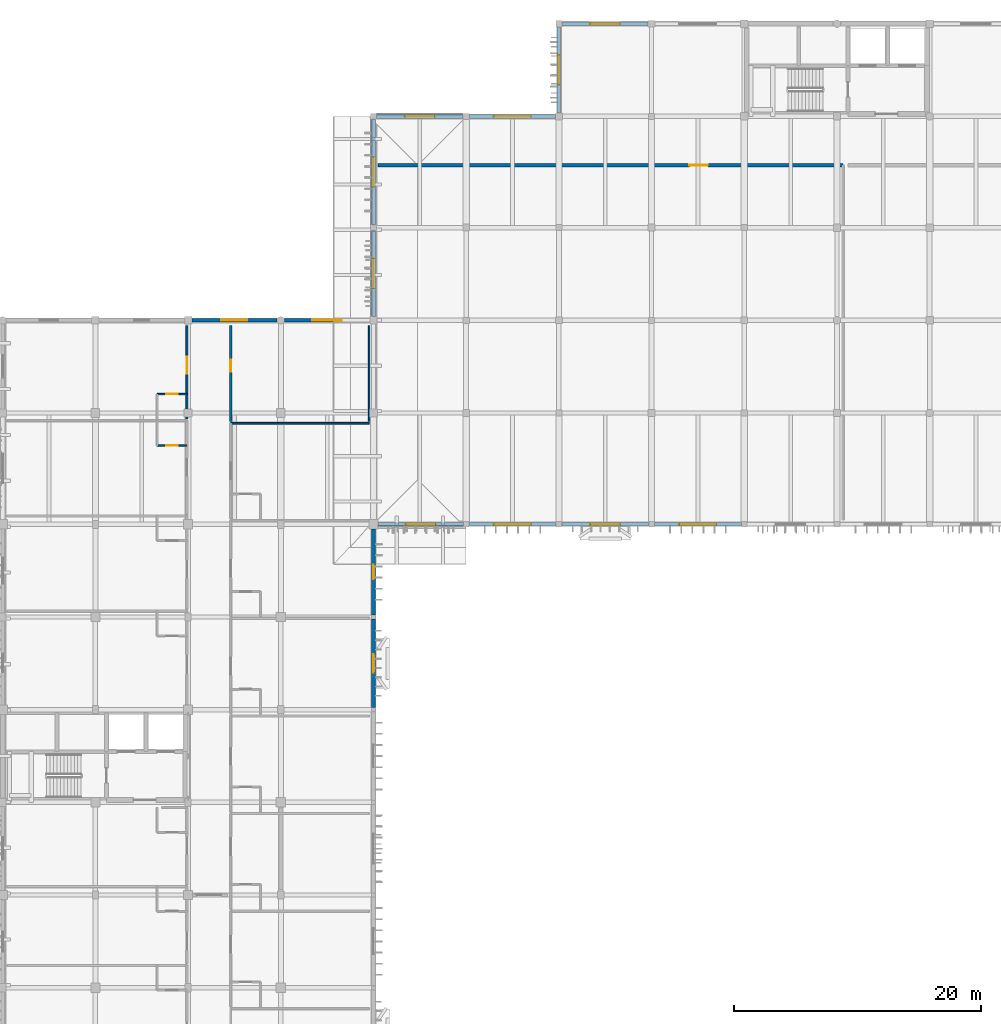
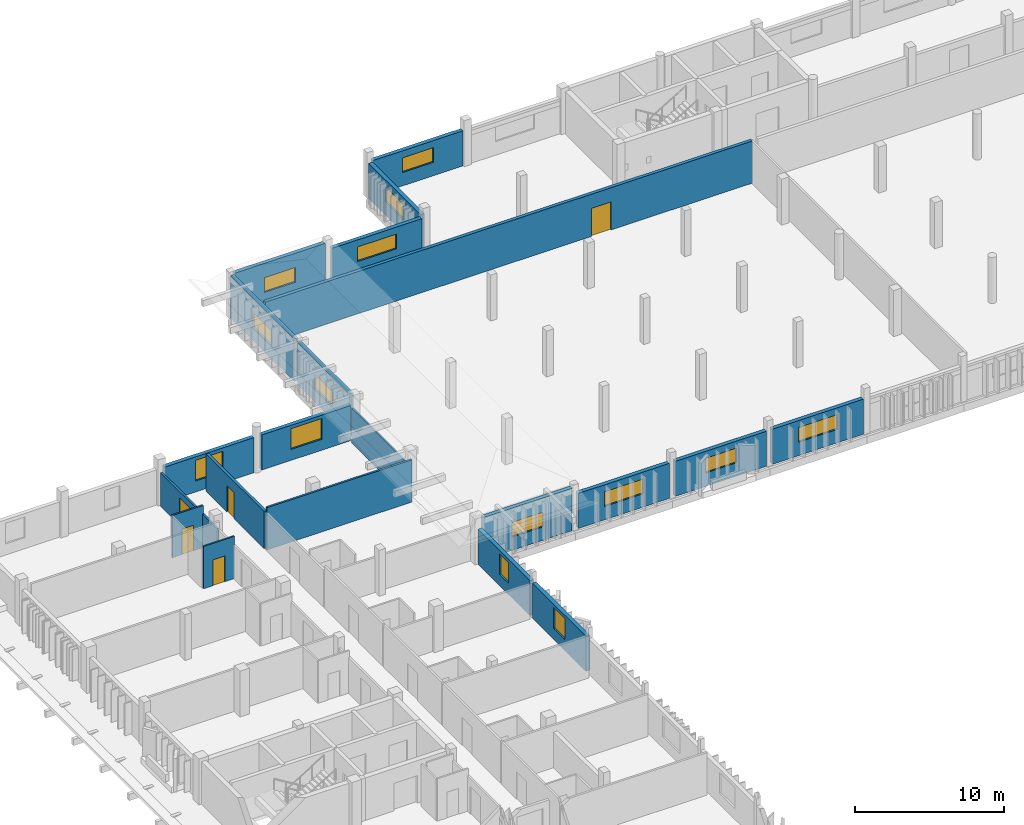
# One storey, part 21 of 43: 21 walls, 14 windows, 5 doors, 19 openings.
"""IFC4 building model written with IfcOpenShell, lengths in metres."""

from ifc_helpers import new_model, si_unit, direction, frame, frame_2d, origin, place, context, subcontext, project, spatial, rectangle, extrude, material, layer, layer_set, type_object, element, fill, save


model = new_model("IFC4")

# Units and contexts
model_context = context("Model", 3, precision=1e-05, world=origin(), true_north=direction((0.0, 1.0)))
body_context = subcontext(model_context, "Body", "Model", "MODEL_VIEW")
ifc_project = project(units=[si_unit("LENGTHUNIT", "METRE"), si_unit("AREAUNIT", "SQUARE_METRE"), si_unit("VOLUMEUNIT", "CUBIC_METRE"), si_unit("PLANEANGLEUNIT", "RADIAN"), si_unit("MASSUNIT", "GRAM", prefix="KILO")], contexts=[model_context])

# Site, building, storey
site_placement = place(None, origin())
site = spatial("IfcSite", under=ifc_project, at=site_placement, CompositionType="ELEMENT")
building_placement = place(site_placement, origin())
building = spatial("IfcBuilding", under=site, at=building_placement, Name="Dalvernix Boulevard General Hospital", CompositionType="ELEMENT")
storey_placement = place(building_placement, frame((0.0, 0.0, 14.10009765625)))
storey = spatial("IfcBuildingStorey", under=building, at=storey_placement, Name="L03", CompositionType="ELEMENT", Elevation=14.10009765625)

# Wall, opening, window
ifc_material_1 = material(Name="Pressed Catalan clay brick and ceramic spandrel wall C35/45", Category="masonry")
ifc_layer_1 = layer(ifc_material_1, 0.300048828125)
ifc_layer_set_1 = layer_set([ifc_layer_1], Name="Pressed Catalan clay brick and ceramic spandrel wall C35/45 (WAL-EW-02)")
wall_type_1 = type_object("IfcWallType", Name="WAL-EW-02", PredefinedType="STANDARD", material=ifc_layer_set_1)
wall_1_placement = place(storey_placement, frame((15.31005859375, 93.0, 0.0), z_axis=(0.0, 0.0, 1.0), x_axis=(1.0, 0.0, 0.0)))
wall_1 = element("IfcWall", 1, at=wall_1_placement, inside=storey, type_object=wall_type_1, Name="L03 Catalan brick external wall N 2-12", PredefinedType="STANDARD", context=body_context, shape_type="SweptSolid", body=[
    extrude(rectangle(XDim=6.8798828125, YDim=0.300048828125, at=frame_2d((3.43994140625, 0.0))), origin(), (0.0, 0.0, 1.0), 2.869873046875),
])
opening_1_placement = place(wall_1_placement, frame((2.389892578125, 0.0, 0.89990234375)))
opening_1 = element("IfcOpeningElement", 2, at=opening_1_placement, cuts=wall_1, Name="Opening WN-08", PredefinedType="OPENING", context=body_context, shape_type="SweptSolid", body=[
    extrude(rectangle(XDim=2.10009765625, YDim=1.68994140625, at=frame_2d((1.050048828125, 0.844970703125))), frame((0.0, 0.159912109375, 0.0), z_axis=(0.0, -1.0, 0.0), x_axis=(1.0, 0.0, 0.0)), (0.0, 0.0, 1.0), 0.320068359375),
])
ifc_material_2 = material(Name="Thermally broken aluminium frame with solar-control double glazing", Category="aluminium")
window_type_1 = type_object("IfcWindowType", Name="WIN-WN-08", PartitioningType="SINGLE_PANEL", PredefinedType="WINDOW", material=ifc_material_2)
window_1_placement = place(opening_1_placement, origin())
window_1 = element("IfcWindow", 3, at=window_1_placement, inside=storey, type_object=window_type_1, Name="L03 clinical window WN-08 N 2-12", OverallHeight=1.68994140625, OverallWidth=2.10009765625, PartitioningType="SINGLE_PANEL", PredefinedType="WINDOW", context=body_context, shape_type="SweptSolid", body=[
    extrude(rectangle(XDim=2.10009765625, YDim=1.68994140625, at=frame_2d((1.050048828125, 0.844970703125))), frame((0.0, 0.030029296875, 0.0), z_axis=(0.0, -1.0, 0.0), x_axis=(1.0, 0.0, 0.0)), (0.0, 0.0, 1.0), 0.06005859375),
])
fill(opening_1, window_1)

wall_2_placement = place(storey_placement, frame((30.0, 68.830078125, 0.0), z_axis=(0.0, 0.0, 1.0), x_axis=(0.0, -1.0, 0.0)))
wall_2 = element("IfcWall", 4, at=wall_2_placement, inside=storey, type_object=wall_type_1, Name="L03 Catalan brick external wall E 4-8", PredefinedType="STANDARD", context=body_context, shape_type="SweptSolid", body=[
    extrude(rectangle(XDim=7.16015625, YDim=0.300048828125, at=frame_2d((3.580078125, 0.0))), origin(), (0.0, 0.0, 1.0), 2.869873046875),
])
opening_2_placement = place(wall_2_placement, frame((2.830078125, 0.0, 0.89990234375)))
opening_2 = element("IfcOpeningElement", 5, at=opening_2_placement, cuts=wall_2, Name="Opening WN-06", PredefinedType="OPENING", context=body_context, shape_type="SweptSolid", body=[
    extrude(rectangle(XDim=1.5, YDim=1.68994140625, at=frame_2d((0.75, 0.844970703125))), frame((0.0, 0.159912109375, 0.0), z_axis=(0.0, -1.0, 0.0), x_axis=(1.0, 0.0, 0.0)), (0.0, 0.0, 1.0), 0.320068359375),
])
window_type_2 = type_object("IfcWindowType", Name="WIN-WN-06", PartitioningType="SINGLE_PANEL", PredefinedType="WINDOW", material=ifc_material_2)
window_2_placement = place(opening_2_placement, origin())
window_2 = element("IfcWindow", 6, at=window_2_placement, inside=storey, type_object=window_type_2, Name="L03 clinical window WN-06 E 4-8", OverallHeight=1.68994140625, OverallWidth=1.5, PartitioningType="SINGLE_PANEL", PredefinedType="WINDOW", context=body_context, shape_type="SweptSolid", body=[
    extrude(rectangle(XDim=1.5, YDim=1.68994140625, at=frame_2d((0.75, 0.844970703125))), frame((0.0, 0.030029296875, 0.0), z_axis=(0.0, -1.0, 0.0), x_axis=(1.0, 0.0, 0.0)), (0.0, 0.0, 1.0), 0.06005859375),
])
fill(opening_2, window_2)

wall_3_placement = place(storey_placement, frame((30.0, 76.114990234375, 0.0), z_axis=(0.0, 0.0, 1.0), x_axis=(0.0, -1.0, 0.0)))
wall_3 = element("IfcWall", 7, at=wall_3_placement, inside=storey, type_object=wall_type_1, Name="L03 Catalan brick external wall E 4-9", PredefinedType="STANDARD", context=body_context, shape_type="SweptSolid", body=[
    extrude(rectangle(XDim=6.945068359375, YDim=0.300048828125, at=frame_2d((3.47265625, 0.0))), origin(), (0.0, 0.0, 1.0), 2.869873046875),
])
opening_3_placement = place(wall_3_placement, frame((2.87255859375, 0.0, 0.89990234375)))
opening_3 = element("IfcOpeningElement", 8, at=opening_3_placement, cuts=wall_3, Name="Opening WN-07", PredefinedType="OPENING", context=body_context, shape_type="SweptSolid", body=[
    extrude(rectangle(XDim=1.199951171875, YDim=1.68994140625, at=frame_2d((0.60009765625, 0.844970703125))), frame((0.0, 0.159912109375, 0.0), z_axis=(0.0, -1.0, 0.0), x_axis=(1.0, 0.0, 0.0)), (0.0, 0.0, 1.0), 0.320068359375),
])
window_type_3 = type_object("IfcWindowType", Name="WIN-WN-07", PartitioningType="SINGLE_PANEL", PredefinedType="WINDOW", material=ifc_material_2)
window_3_placement = place(opening_3_placement, origin())
window_3 = element("IfcWindow", 9, at=window_3_placement, inside=storey, type_object=window_type_3, Name="L03 clinical window WN-07 E 4-9", OverallHeight=1.68994140625, OverallWidth=1.199951171875, PartitioningType="SINGLE_PANEL", PredefinedType="WINDOW", context=body_context, shape_type="SweptSolid", body=[
    extrude(rectangle(XDim=1.199951171875, YDim=1.68994140625, at=frame_2d((0.60009765625, 0.844970703125))), frame((0.0, 0.030029296875, 0.0), z_axis=(0.0, -1.0, 0.0), x_axis=(1.0, 0.0, 0.0)), (0.0, 0.0, 1.0), 0.06005859375),
])
fill(opening_3, window_3)

wall_4_placement = place(storey_placement, frame((22.81005859375, 93.0, 0.0), z_axis=(0.0, 0.0, 1.0), x_axis=(1.0, 0.0, 0.0)))
wall_4 = element("IfcWall", 10, at=wall_4_placement, inside=storey, type_object=wall_type_1, Name="L03 Catalan brick external wall N 3-12", PredefinedType="STANDARD", context=body_context, shape_type="SweptSolid", body=[
    extrude(rectangle(XDim=6.8798828125, YDim=0.300048828125, at=frame_2d((3.43994140625, 0.0))), origin(), (0.0, 0.0, 1.0), 2.869873046875),
])
opening_4_placement = place(wall_4_placement, frame((2.239990234375, 0.0, 0.89990234375)))
opening_4 = element("IfcOpeningElement", 11, at=opening_4_placement, cuts=wall_4, Name="Opening WN-09", PredefinedType="OPENING", context=body_context, shape_type="SweptSolid", body=[
    extrude(rectangle(XDim=2.39990234375, YDim=1.68994140625, at=frame_2d((1.199951171875, 0.844970703125))), frame((0.0, 0.159912109375, 0.0), z_axis=(0.0, -1.0, 0.0), x_axis=(1.0, 0.0, 0.0)), (0.0, 0.0, 1.0), 0.320068359375),
])
window_type_4 = type_object("IfcWindowType", Name="WIN-WN-09", PartitioningType="SINGLE_PANEL", PredefinedType="WINDOW", material=ifc_material_2)
window_4_placement = place(opening_4_placement, origin())
window_4 = element("IfcWindow", 12, at=window_4_placement, inside=storey, type_object=window_type_4, Name="L03 clinical window WN-09 N 3-12", OverallHeight=1.68994140625, OverallWidth=2.39990234375, PartitioningType="SINGLE_PANEL", PredefinedType="WINDOW", context=body_context, shape_type="SweptSolid", body=[
    extrude(rectangle(XDim=2.39990234375, YDim=1.68994140625, at=frame_2d((1.199951171875, 0.844970703125))), frame((0.0, 0.030029296875, 0.0), z_axis=(0.0, -1.0, 0.0), x_axis=(1.0, 0.0, 0.0)), (0.0, 0.0, 1.0), 0.06005859375),
])
fill(opening_4, window_4)

wall_5_placement = place(storey_placement, frame((37.264892578125, 76.5, 0.0), z_axis=(0.0, 0.0, 1.0), x_axis=(-1.0, 0.0, 0.0)))
wall_5 = element("IfcWall", 13, at=wall_5_placement, inside=storey, type_object=wall_type_1, Name="L03 Catalan brick external wall S 4-10", PredefinedType="STANDARD", context=body_context, shape_type="SweptSolid", body=[
    extrude(rectangle(XDim=6.8798828125, YDim=0.300048828125, at=frame_2d((3.43994140625, 0.0))), origin(), (0.0, 0.0, 1.0), 3.469970703125),
])
opening_5_placement = place(wall_5_placement, frame((2.239990234375, 0.0, 1.10009765625)))
opening_5 = element("IfcOpeningElement", 14, at=opening_5_placement, cuts=wall_5, Name="Opening WN-17", PredefinedType="OPENING", context=body_context, shape_type="SweptSolid", body=[
    extrude(rectangle(XDim=2.39990234375, YDim=1.199951171875, at=frame_2d((1.199951171875, 0.60009765625))), frame((0.0, 0.159912109375, 0.0), z_axis=(0.0, -1.0, 0.0), x_axis=(1.0, 0.0, 0.0)), (0.0, 0.0, 1.0), 0.320068359375),
])
window_type_5 = type_object("IfcWindowType", Name="WIN-WN-17", PartitioningType="SINGLE_PANEL", PredefinedType="WINDOW", material=ifc_material_2)
window_5_placement = place(opening_5_placement, origin())
window_5 = element("IfcWindow", 15, at=window_5_placement, inside=storey, type_object=window_type_5, Name="L03 clinical window WN-17 S 4-10", OverallHeight=1.199951171875, OverallWidth=2.39990234375, PartitioningType="SINGLE_PANEL", PredefinedType="WINDOW", context=body_context, shape_type="SweptSolid", body=[
    extrude(rectangle(XDim=2.39990234375, YDim=1.199951171875, at=frame_2d((1.199951171875, 0.60009765625))), frame((0.0, 0.030029296875, 0.0), z_axis=(0.0, -1.0, 0.0), x_axis=(1.0, 0.0, 0.0)), (0.0, 0.0, 1.0), 0.06005859375),
])
fill(opening_5, window_5)

wall_6_placement = place(storey_placement, frame((30.0, 93.31005859375, 0.0), z_axis=(0.0, 0.0, 1.0), x_axis=(0.0, 1.0, 0.0)))
wall_6 = element("IfcWall", 16, at=wall_6_placement, inside=storey, type_object=wall_type_1, Name="L03 Catalan brick external wall W 4-12", PredefinedType="STANDARD", context=body_context, shape_type="SweptSolid", body=[
    extrude(rectangle(XDim=6.954833984375, YDim=0.300048828125, at=frame_2d((3.4775390625, 0.0))), origin(), (0.0, 0.0, 1.0), 3.469970703125),
])
opening_6_placement = place(wall_6_placement, frame((2.277587890625, 0.0, 1.10009765625)))
opening_6 = element("IfcOpeningElement", 17, at=opening_6_placement, cuts=wall_6, Name="Opening WN-17", PredefinedType="OPENING", context=body_context, shape_type="SweptSolid", body=[
    extrude(rectangle(XDim=2.39990234375, YDim=1.199951171875, at=frame_2d((1.199951171875, 0.60009765625))), frame((0.0, 0.159912109375, 0.0), z_axis=(0.0, -1.0, 0.0), x_axis=(1.0, 0.0, 0.0)), (0.0, 0.0, 1.0), 0.320068359375),
])
window_6_placement = place(opening_6_placement, origin())
window_6 = element("IfcWindow", 18, at=window_6_placement, inside=storey, type_object=window_type_5, Name="L03 clinical window WN-17 W 4-12", OverallHeight=1.199951171875, OverallWidth=2.39990234375, PartitioningType="SINGLE_PANEL", PredefinedType="WINDOW", context=body_context, shape_type="SweptSolid", body=[
    extrude(rectangle(XDim=2.39990234375, YDim=1.199951171875, at=frame_2d((1.199951171875, 0.60009765625))), frame((0.0, 0.030029296875, 0.0), z_axis=(0.0, -1.0, 0.0), x_axis=(1.0, 0.0, 0.0)), (0.0, 0.0, 1.0), 0.06005859375),
])
fill(opening_6, window_6)

wall_7_placement = place(storey_placement, frame((30.235107421875, 109.5, 0.0), z_axis=(0.0, 0.0, 1.0), x_axis=(1.0, 0.0, 0.0)))
wall_7 = element("IfcWall", 19, at=wall_7_placement, inside=storey, type_object=wall_type_1, Name="L03 Catalan brick external wall N 4-14", PredefinedType="STANDARD", context=body_context, shape_type="SweptSolid", body=[
    extrude(rectangle(XDim=7.0048828125, YDim=0.300048828125, at=frame_2d((3.50244140625, 0.0))), origin(), (0.0, 0.0, 1.0), 3.469970703125),
])
opening_7_placement = place(wall_7_placement, frame((2.302490234375, 0.0, 1.10009765625)))
opening_7 = element("IfcOpeningElement", 20, at=opening_7_placement, cuts=wall_7, Name="Opening WN-17", PredefinedType="OPENING", context=body_context, shape_type="SweptSolid", body=[
    extrude(rectangle(XDim=2.39990234375, YDim=1.199951171875, at=frame_2d((1.199951171875, 0.60009765625))), frame((0.0, 0.159912109375, 0.0), z_axis=(0.0, -1.0, 0.0), x_axis=(1.0, 0.0, 0.0)), (0.0, 0.0, 1.0), 0.320068359375),
])
window_7_placement = place(opening_7_placement, origin())
window_7 = element("IfcWindow", 21, at=window_7_placement, inside=storey, type_object=window_type_5, Name="L03 clinical window WN-17 N 4-14", OverallHeight=1.199951171875, OverallWidth=2.39990234375, PartitioningType="SINGLE_PANEL", PredefinedType="WINDOW", context=body_context, shape_type="SweptSolid", body=[
    extrude(rectangle(XDim=2.39990234375, YDim=1.199951171875, at=frame_2d((1.199951171875, 0.60009765625))), frame((0.0, 0.030029296875, 0.0), z_axis=(0.0, -1.0, 0.0), x_axis=(1.0, 0.0, 0.0)), (0.0, 0.0, 1.0), 0.06005859375),
])
fill(opening_7, window_7)

wall_8_placement = place(storey_placement, frame((30.0, 100.735107421875, 0.0), z_axis=(0.0, 0.0, 1.0), x_axis=(0.0, 1.0, 0.0)))
wall_8 = element("IfcWall", 22, at=wall_8_placement, inside=storey, type_object=wall_type_1, Name="L03 Catalan brick external wall W 4-13", PredefinedType="STANDARD", context=body_context, shape_type="SweptSolid", body=[
    extrude(rectangle(XDim=8.52978515625, YDim=0.300048828125, at=frame_2d((4.264892578125, 0.0))), origin(), (0.0, 0.0, 1.0), 3.469970703125),
])
opening_8_placement = place(wall_8_placement, frame((3.06494140625, 0.0, 1.10009765625)))
opening_8 = element("IfcOpeningElement", 23, at=opening_8_placement, cuts=wall_8, Name="Opening WN-17", PredefinedType="OPENING", context=body_context, shape_type="SweptSolid", body=[
    extrude(rectangle(XDim=2.39990234375, YDim=1.199951171875, at=frame_2d((1.199951171875, 0.60009765625))), frame((0.0, 0.159912109375, 0.0), z_axis=(0.0, -1.0, 0.0), x_axis=(1.0, 0.0, 0.0)), (0.0, 0.0, 1.0), 0.320068359375),
])
window_8_placement = place(opening_8_placement, origin())
window_8 = element("IfcWindow", 24, at=window_8_placement, inside=storey, type_object=window_type_5, Name="L03 clinical window WN-17 W 4-13", OverallHeight=1.199951171875, OverallWidth=2.39990234375, PartitioningType="SINGLE_PANEL", PredefinedType="WINDOW", context=body_context, shape_type="SweptSolid", body=[
    extrude(rectangle(XDim=2.39990234375, YDim=1.199951171875, at=frame_2d((1.199951171875, 0.60009765625))), frame((0.0, 0.030029296875, 0.0), z_axis=(0.0, -1.0, 0.0), x_axis=(1.0, 0.0, 0.0)), (0.0, 0.0, 1.0), 0.06005859375),
])
fill(opening_8, window_8)

wall_9_placement = place(storey_placement, frame((44.764892578125, 76.5, 0.0), z_axis=(0.0, 0.0, 1.0), x_axis=(-1.0, 0.0, 0.0)))
wall_9 = element("IfcWall", 25, at=wall_9_placement, inside=storey, type_object=wall_type_1, Name="L03 Catalan brick external wall S 5-10", PredefinedType="STANDARD", context=body_context, shape_type="SweptSolid", body=[
    extrude(rectangle(XDim=7.02978515625, YDim=0.300048828125, at=frame_2d((3.514892578125, 0.0))), origin(), (0.0, 0.0, 1.0), 2.869873046875),
])
opening_9_placement = place(wall_9_placement, frame((2.014892578125, 0.0, 1.10009765625)))
opening_9 = element("IfcOpeningElement", 26, at=opening_9_placement, cuts=wall_9, Name="Opening WN-18", PredefinedType="OPENING", context=body_context, shape_type="SweptSolid", body=[
    extrude(rectangle(XDim=3.0, YDim=1.199951171875, at=frame_2d((1.5, 0.60009765625))), frame((0.0, 0.159912109375, 0.0), z_axis=(0.0, -1.0, 0.0), x_axis=(1.0, 0.0, 0.0)), (0.0, 0.0, 1.0), 0.320068359375),
])
window_type_6 = type_object("IfcWindowType", Name="WIN-WN-18", PartitioningType="SINGLE_PANEL", PredefinedType="WINDOW", material=ifc_material_2)
window_9_placement = place(opening_9_placement, origin())
window_9 = element("IfcWindow", 27, at=window_9_placement, inside=storey, type_object=window_type_6, Name="L03 clinical window WN-18 S 5-10", OverallHeight=1.199951171875, OverallWidth=3.0, PartitioningType="SINGLE_PANEL", PredefinedType="WINDOW", context=body_context, shape_type="SweptSolid", body=[
    extrude(rectangle(XDim=3.0, YDim=1.199951171875, at=frame_2d((1.5, 0.60009765625))), frame((0.0, 0.030029296875, 0.0), z_axis=(0.0, -1.0, 0.0), x_axis=(1.0, 0.0, 0.0)), (0.0, 0.0, 1.0), 0.06005859375),
])
fill(opening_9, window_9)

wall_10_placement = place(storey_placement, frame((37.760009765625, 109.5, 0.0), z_axis=(0.0, 0.0, 1.0), x_axis=(1.0, 0.0, 0.0)))
wall_10 = element("IfcWall", 28, at=wall_10_placement, inside=storey, type_object=wall_type_1, Name="L03 Catalan brick external wall N 5-14", PredefinedType="STANDARD", context=body_context, shape_type="SweptSolid", body=[
    extrude(rectangle(XDim=6.955078125, YDim=0.300048828125, at=frame_2d((3.4775390625, 0.0))), origin(), (0.0, 0.0, 1.0), 2.869873046875),
])
opening_10_placement = place(wall_10_placement, frame((1.9775390625, 0.0, 1.10009765625)))
opening_10 = element("IfcOpeningElement", 29, at=opening_10_placement, cuts=wall_10, Name="Opening WN-18", PredefinedType="OPENING", context=body_context, shape_type="SweptSolid", body=[
    extrude(rectangle(XDim=3.0, YDim=1.199951171875, at=frame_2d((1.5, 0.60009765625))), frame((0.0, 0.159912109375, 0.0), z_axis=(0.0, -1.0, 0.0), x_axis=(1.0, 0.0, 0.0)), (0.0, 0.0, 1.0), 0.320068359375),
])
window_10_placement = place(opening_10_placement, origin())
window_10 = element("IfcWindow", 30, at=window_10_placement, inside=storey, type_object=window_type_6, Name="L03 clinical window WN-18 N 5-14", OverallHeight=1.199951171875, OverallWidth=3.0, PartitioningType="SINGLE_PANEL", PredefinedType="WINDOW", context=body_context, shape_type="SweptSolid", body=[
    extrude(rectangle(XDim=3.0, YDim=1.199951171875, at=frame_2d((1.5, 0.60009765625))), frame((0.0, 0.030029296875, 0.0), z_axis=(0.0, -1.0, 0.0), x_axis=(1.0, 0.0, 0.0)), (0.0, 0.0, 1.0), 0.06005859375),
])
fill(opening_10, window_10)

wall_11_placement = place(storey_placement, frame((52.264892578125, 76.5, 0.0), z_axis=(0.0, 0.0, 1.0), x_axis=(-1.0, 0.0, 0.0)))
wall_11 = element("IfcWall", 31, at=wall_11_placement, inside=storey, type_object=wall_type_1, Name="L03 Catalan brick external wall S 6-10", PredefinedType="STANDARD", context=body_context, shape_type="SweptSolid", body=[
    extrude(rectangle(XDim=7.02978515625, YDim=0.300048828125, at=frame_2d((3.514892578125, 0.0))), origin(), (0.0, 0.0, 1.0), 2.869873046875),
])
opening_11_placement = place(wall_11_placement, frame((2.31494140625, 0.0, 1.10009765625)))
opening_11 = element("IfcOpeningElement", 32, at=opening_11_placement, cuts=wall_11, Name="Opening WN-17", PredefinedType="OPENING", context=body_context, shape_type="SweptSolid", body=[
    extrude(rectangle(XDim=2.39990234375, YDim=1.199951171875, at=frame_2d((1.199951171875, 0.60009765625))), frame((0.0, 0.159912109375, 0.0), z_axis=(0.0, -1.0, 0.0), x_axis=(1.0, 0.0, 0.0)), (0.0, 0.0, 1.0), 0.320068359375),
])
window_11_placement = place(opening_11_placement, origin())
window_11 = element("IfcWindow", 33, at=window_11_placement, inside=storey, type_object=window_type_5, Name="L03 clinical window WN-17 S 6-10", OverallHeight=1.199951171875, OverallWidth=2.39990234375, PartitioningType="SINGLE_PANEL", PredefinedType="WINDOW", context=body_context, shape_type="SweptSolid", body=[
    extrude(rectangle(XDim=2.39990234375, YDim=1.199951171875, at=frame_2d((1.199951171875, 0.60009765625))), frame((0.0, 0.030029296875, 0.0), z_axis=(0.0, -1.0, 0.0), x_axis=(1.0, 0.0, 0.0)), (0.0, 0.0, 1.0), 0.06005859375),
])
fill(opening_11, window_11)

wall_12_placement = place(storey_placement, frame((45.260009765625, 117.0, 0.0), z_axis=(0.0, 0.0, 1.0), x_axis=(1.0, 0.0, 0.0)))
wall_12 = element("IfcWall", 34, at=wall_12_placement, inside=storey, type_object=wall_type_1, Name="L03 Catalan brick external wall N 6-15", PredefinedType="STANDARD", context=body_context, shape_type="SweptSolid", body=[
    extrude(rectangle(XDim=6.955078125, YDim=0.300048828125, at=frame_2d((3.4775390625, 0.0))), origin(), (0.0, 0.0, 1.0), 2.869873046875),
])
opening_12_placement = place(wall_12_placement, frame((2.277587890625, 0.0, 1.10009765625)))
opening_12 = element("IfcOpeningElement", 35, at=opening_12_placement, cuts=wall_12, Name="Opening WN-17", PredefinedType="OPENING", context=body_context, shape_type="SweptSolid", body=[
    extrude(rectangle(XDim=2.39990234375, YDim=1.199951171875, at=frame_2d((1.199951171875, 0.60009765625))), frame((0.0, 0.159912109375, 0.0), z_axis=(0.0, -1.0, 0.0), x_axis=(1.0, 0.0, 0.0)), (0.0, 0.0, 1.0), 0.320068359375),
])
window_12_placement = place(opening_12_placement, origin())
window_12 = element("IfcWindow", 36, at=window_12_placement, inside=storey, type_object=window_type_5, Name="L03 clinical window WN-17 N 6-15", OverallHeight=1.199951171875, OverallWidth=2.39990234375, PartitioningType="SINGLE_PANEL", PredefinedType="WINDOW", context=body_context, shape_type="SweptSolid", body=[
    extrude(rectangle(XDim=2.39990234375, YDim=1.199951171875, at=frame_2d((1.199951171875, 0.60009765625))), frame((0.0, 0.030029296875, 0.0), z_axis=(0.0, -1.0, 0.0), x_axis=(1.0, 0.0, 0.0)), (0.0, 0.0, 1.0), 0.06005859375),
])
fill(opening_12, window_12)

wall_13_placement = place(storey_placement, frame((45.0, 109.784912109375, 0.0), z_axis=(0.0, 0.0, 1.0), x_axis=(0.0, 1.0, 0.0)))
wall_13 = element("IfcWall", 37, at=wall_13_placement, inside=storey, type_object=wall_type_1, Name="L03 Catalan brick external wall W 6-14", PredefinedType="STANDARD", context=body_context, shape_type="SweptSolid", body=[
    extrude(rectangle(XDim=6.955078125, YDim=0.300048828125, at=frame_2d((3.4775390625, 0.0))), origin(), (0.0, 0.0, 1.0), 2.869873046875),
])
opening_13_placement = place(wall_13_placement, frame((2.277587890625, 0.0, 1.10009765625)))
opening_13 = element("IfcOpeningElement", 38, at=opening_13_placement, cuts=wall_13, Name="Opening WN-17", PredefinedType="OPENING", context=body_context, shape_type="SweptSolid", body=[
    extrude(rectangle(XDim=2.39990234375, YDim=1.199951171875, at=frame_2d((1.199951171875, 0.60009765625))), frame((0.0, 0.159912109375, 0.0), z_axis=(0.0, -1.0, 0.0), x_axis=(1.0, 0.0, 0.0)), (0.0, 0.0, 1.0), 0.320068359375),
])
window_13_placement = place(opening_13_placement, origin())
window_13 = element("IfcWindow", 39, at=window_13_placement, inside=storey, type_object=window_type_5, Name="L03 clinical window WN-17 W 6-14", OverallHeight=1.199951171875, OverallWidth=2.39990234375, PartitioningType="SINGLE_PANEL", PredefinedType="WINDOW", context=body_context, shape_type="SweptSolid", body=[
    extrude(rectangle(XDim=2.39990234375, YDim=1.199951171875, at=frame_2d((1.199951171875, 0.60009765625))), frame((0.0, 0.030029296875, 0.0), z_axis=(0.0, -1.0, 0.0), x_axis=(1.0, 0.0, 0.0)), (0.0, 0.0, 1.0), 0.06005859375),
])
fill(opening_13, window_13)

wall_14_placement = place(storey_placement, frame((59.764892578125, 76.5, 0.0), z_axis=(0.0, 0.0, 1.0), x_axis=(-1.0, 0.0, 0.0)))
wall_14 = element("IfcWall", 40, at=wall_14_placement, inside=storey, type_object=wall_type_1, Name="L03 Catalan brick external wall S 7-10", PredefinedType="STANDARD", context=body_context, shape_type="SweptSolid", body=[
    extrude(rectangle(XDim=7.02978515625, YDim=0.300048828125, at=frame_2d((3.514892578125, 0.0))), origin(), (0.0, 0.0, 1.0), 2.869873046875),
])
opening_14_placement = place(wall_14_placement, frame((2.014892578125, 0.0, 1.10009765625)))
opening_14 = element("IfcOpeningElement", 41, at=opening_14_placement, cuts=wall_14, Name="Opening WN-18", PredefinedType="OPENING", context=body_context, shape_type="SweptSolid", body=[
    extrude(rectangle(XDim=3.0, YDim=1.199951171875, at=frame_2d((1.5, 0.60009765625))), frame((0.0, 0.159912109375, 0.0), z_axis=(0.0, -1.0, 0.0), x_axis=(1.0, 0.0, 0.0)), (0.0, 0.0, 1.0), 0.320068359375),
])
window_14_placement = place(opening_14_placement, origin())
window_14 = element("IfcWindow", 42, at=window_14_placement, inside=storey, type_object=window_type_6, Name="L03 clinical window WN-18 S 7-10", OverallHeight=1.199951171875, OverallWidth=3.0, PartitioningType="SINGLE_PANEL", PredefinedType="WINDOW", context=body_context, shape_type="SweptSolid", body=[
    extrude(rectangle(XDim=3.0, YDim=1.199951171875, at=frame_2d((1.5, 0.60009765625))), frame((0.0, 0.030029296875, 0.0), z_axis=(0.0, -1.0, 0.0), x_axis=(1.0, 0.0, 0.0)), (0.0, 0.0, 1.0), 0.06005859375),
])
fill(opening_14, window_14)

# Wall, opening, door
ifc_material_3 = material(Name="Acoustic fire-rated masonry clinical wall", Category="masonry")
ifc_layer_2 = layer(ifc_material_3, 0.25)
ifc_layer_set_2 = layer_set([ifc_layer_2], Name="Acoustic fire-rated masonry clinical wall (WAL-IW-01)")
wall_type_2 = type_object("IfcWallType", Name="WAL-IW-01", PredefinedType="STANDARD", material=ifc_layer_set_2)
wall_15_placement = place(storey_placement, frame((68.0, 105.550048828125, 0.0), z_axis=(0.0, 0.0, 1.0), x_axis=(-1.0, 0.0, 0.0)))
wall_15 = element("IfcWall", 43, at=wall_15_placement, inside=storey, type_object=wall_type_2, Name="L03 Interstitial Surgical HVAC Air-Handling Plant West corridor wall", PredefinedType="STANDARD", context=body_context, shape_type="SweptSolid", body=[
    extrude(rectangle(XDim=37.64990234375, YDim=0.25, at=frame_2d((18.824951171875, 0.0))), origin(), (0.0, 0.0, 1.0), 3.454833984375),
])
opening_15_placement = place(wall_15_placement, frame((10.945068359375, 0.0, 0.0)))
opening_15 = element("IfcOpeningElement", 44, at=opening_15_placement, cuts=wall_15, Name="Opening ID-14", PredefinedType="OPENING", context=body_context, shape_type="SweptSolid", body=[
    extrude(rectangle(XDim=1.5, YDim=2.300048828125, at=frame_2d((0.75, 1.14990234375))), frame((0.0, 0.135009765625, 0.0), z_axis=(0.0, -1.0, 0.0), x_axis=(1.0, 0.0, 0.0)), (0.0, 0.0, 1.0), 0.27001953125),
])
ifc_material_4 = material(Name="Hospital laminate acoustic timber and steel frame", Category="steel")
door_type_1 = type_object("IfcDoorType", Name="DR-ID-14", OperationType="DOUBLE_DOOR_SINGLE_SWING", PredefinedType="DOOR", material=ifc_material_4)
door_1_placement = place(opening_15_placement, origin())
door_1 = element("IfcDoor", 45, at=door_1_placement, inside=storey, type_object=door_type_1, Name="L03 Interstitial Surgical HVAC Air-Handling Plant West door", OperationType="DOUBLE_DOOR_SINGLE_SWING", OverallHeight=2.300048828125, OverallWidth=1.5, PredefinedType="DOOR", context=body_context, shape_type="SweptSolid", body=[
    extrude(rectangle(XDim=1.5, YDim=2.300048828125, at=frame_2d((0.75, 1.14990234375))), frame((0.0, 0.02490234375, 0.0), z_axis=(0.0, -1.0, 0.0), x_axis=(1.0, 0.0, 0.0)), (0.0, 0.0, 1.0), 0.050048828125),
])
fill(opening_15, door_1)

ifc_material_5 = material(Name="Fire-compartment corridor masonry wall", Category="masonry")
ifc_layer_3 = layer(ifc_material_5, 0.199951171875)
ifc_layer_set_3 = layer_set([ifc_layer_3], Name="Fire-compartment corridor masonry wall (WAL-IW-02)")
wall_type_3 = type_object("IfcWallType", Name="WAL-IW-02", PredefinedType="STANDARD", material=ifc_layer_set_3)
wall_16_placement = place(storey_placement, frame((18.449951171875, 92.570068359375, 0.0), z_axis=(0.0, 0.0, 1.0), x_axis=(0.0, -1.0, 0.0)))
wall_16 = element("IfcWall", 46, at=wall_16_placement, inside=storey, type_object=wall_type_3, Name="L03 Staff WC and Clean Utility L03 corridor wall", PredefinedType="STANDARD", context=body_context, shape_type="SweptSolid", body=[
    extrude(rectangle(XDim=7.735107421875, YDim=0.199951171875, at=frame_2d((3.86767578125, 0.0))), origin(), (0.0, 0.0, 1.0), 3.054931640625),
])
opening_16_placement = place(wall_16_placement, frame((2.763916015625, 0.0, 0.0)))
opening_16 = element("IfcOpeningElement", 47, at=opening_16_placement, cuts=wall_16, Name="Opening ID-06", PredefinedType="OPENING", context=body_context, shape_type="SweptSolid", body=[
    extrude(rectangle(XDim=0.949951171875, YDim=2.14990234375, at=frame_2d((0.47509765625, 1.074951171875))), frame((0.0, 0.10986328125, 0.0), z_axis=(0.0, -1.0, 0.0), x_axis=(1.0, 0.0, 0.0)), (0.0, 0.0, 1.0), 0.219970703125),
])
door_type_2 = type_object("IfcDoorType", Name="DR-ID-06", OperationType="NOTDEFINED", PredefinedType="DOOR", material=ifc_material_4)
door_2_placement = place(opening_16_placement, origin())
door_2 = element("IfcDoor", 48, at=door_2_placement, inside=storey, type_object=door_type_2, Name="L03 Staff WC and Clean Utility L03 door", OperationType="SINGLE_SWING_LEFT", OverallHeight=2.14990234375, OverallWidth=0.949951171875, PredefinedType="DOOR", context=body_context, shape_type="SweptSolid", body=[
    extrude(rectangle(XDim=0.949951171875, YDim=2.14990234375, at=frame_2d((0.47509765625, 1.074951171875))), frame((0.0, 0.02490234375, 0.0), z_axis=(0.0, -1.0, 0.0), x_axis=(1.0, 0.0, 0.0)), (0.0, 0.0, 1.0), 0.050048828125),
])
fill(opening_16, door_2)

ifc_material_6 = material(Name="Acoustic double-stud gypsum inpatient partition")
ifc_layer_4 = layer(ifc_material_6, 0.14990234375)
ifc_layer_set_4 = layer_set([ifc_layer_4], Name="Acoustic double-stud gypsum inpatient partition (WAL-IW-04)")
wall_type_4 = type_object("IfcWallType", Name="WAL-IW-04", PredefinedType="PARTITIONING", material=ifc_layer_set_4)
wall_17_placement = place(storey_placement, frame((14.89990234375, 85.030029296875, 0.0), z_axis=(0.0, 0.0, 1.0), x_axis=(0.0, 1.0, 0.0)))
wall_17 = element("IfcWall", 49, at=wall_17_placement, inside=storey, type_object=wall_type_4, Name="L03 Telemetry Ward Bay L03-W11 corridor wall", PredefinedType="PARTITIONING", context=body_context, shape_type="SweptSolid", body=[
    extrude(rectangle(XDim=7.5400390625, YDim=0.14990234375, at=frame_2d((3.77001953125, 0.0))), origin(), (0.0, 0.0, 1.0), 2.7548828125),
])
opening_17_placement = place(wall_17_placement, frame((3.6640625, 0.0, 0.0)))
opening_17 = element("IfcOpeningElement", 50, at=opening_17_placement, cuts=wall_17, Name="Opening ID-01", PredefinedType="OPENING", context=body_context, shape_type="SweptSolid", body=[
    extrude(rectangle(XDim=1.35009765625, YDim=2.25, at=frame_2d((0.675048828125, 1.125))), frame((0.0, 0.0849609375, 0.0), z_axis=(0.0, -1.0, 0.0), x_axis=(1.0, 0.0, 0.0)), (0.0, 0.0, 1.0), 0.169921875),
])
door_type_3 = type_object("IfcDoorType", Name="DR-ID-01", OperationType="NOTDEFINED", PredefinedType="DOOR", material=ifc_material_4)
door_3_placement = place(opening_17_placement, origin())
door_3 = element("IfcDoor", 51, at=door_3_placement, inside=storey, type_object=door_type_3, Name="L03 Telemetry Ward Bay L03-W11 door", OperationType="SINGLE_SWING_RIGHT", OverallHeight=2.25, OverallWidth=1.35009765625, PredefinedType="DOOR", context=body_context, shape_type="SweptSolid", body=[
    extrude(rectangle(XDim=1.35009765625, YDim=2.25, at=frame_2d((0.675048828125, 1.125))), frame((0.0, 0.02490234375, 0.0), z_axis=(0.0, -1.0, 0.0), x_axis=(1.0, 0.0, 0.0)), (0.0, 0.0, 1.0), 0.050048828125),
])
fill(opening_17, door_3)

# Wall
wall_18_placement = place(storey_placement, frame((18.449951171875, 84.675048828125, 0.0), z_axis=(0.0, 0.0, 1.0), x_axis=(1.0, 0.0, 0.0)))
element("IfcWall", 52, at=wall_18_placement, inside=storey, type_object=wall_type_4, Name="L03 Single Patient Room L03-E08 partition", PredefinedType="PARTITIONING", context=body_context, shape_type="SweptSolid", body=[
    extrude(rectangle(XDim=11.199951171875, YDim=0.14990234375, at=frame_2d((5.60009765625, 0.0))), origin(), (0.0, 0.0, 1.0), 3.454833984375),
])

# Wall, opening, door
ifc_material_7 = material(Name="Moisture-resistant en-suite bathroom partition")
ifc_layer_5 = layer(ifc_material_7, 0.1201171875)
ifc_layer_set_5 = layer_set([ifc_layer_5], Name="Moisture-resistant en-suite bathroom partition (WAL-IW-05)")
wall_type_5 = type_object("IfcWallType", Name="WAL-IW-05", PredefinedType="PARTITIONING", material=ifc_layer_set_5)
wall_19_placement = place(storey_placement, frame((12.5, 82.8701171875, 0.0), z_axis=(0.0, 0.0, 1.0), x_axis=(1.0, 0.0, 0.0)))
wall_19 = element("IfcWall", 53, at=wall_19_placement, inside=storey, type_object=wall_type_5, Name="L03 en-suite bathroom door wall", PredefinedType="PARTITIONING", context=body_context, shape_type="SweptSolid", body=[
    extrude(rectangle(XDim=2.39990234375, YDim=0.1201171875, at=frame_2d((1.199951171875, 0.0))), origin(), (0.0, 0.0, 1.0), 3.454833984375),
])
opening_18_placement = place(wall_19_placement, frame((0.75, 0.0, 0.0)))
opening_18 = element("IfcOpeningElement", 54, at=opening_18_placement, cuts=wall_19, Name="Opening ID-05", PredefinedType="OPENING", context=body_context, shape_type="SweptSolid", body=[
    extrude(rectangle(XDim=0.89990234375, YDim=2.10009765625, at=frame_2d((0.449951171875, 1.050048828125))), frame((0.0, 0.070068359375, 0.0), z_axis=(0.0, -1.0, 0.0), x_axis=(1.0, 0.0, 0.0)), (0.0, 0.0, 1.0), 0.14013671875),
])
door_type_4 = type_object("IfcDoorType", Name="DR-ID-05", OperationType="NOTDEFINED", PredefinedType="DOOR", material=ifc_material_4)
door_4_placement = place(opening_18_placement, origin())
door_4 = element("IfcDoor", 55, at=door_4_placement, inside=storey, type_object=door_type_4, Name="L03 L03-WRD-W10 en-suite bathroom door", OperationType="SINGLE_SWING_LEFT", OverallHeight=2.10009765625, OverallWidth=0.89990234375, PredefinedType="DOOR", context=body_context, shape_type="SweptSolid", body=[
    extrude(rectangle(XDim=0.89990234375, YDim=2.10009765625, at=frame_2d((0.449951171875, 1.050048828125))), frame((0.0, 0.02490234375, 0.0), z_axis=(0.0, -1.0, 0.0), x_axis=(1.0, 0.0, 0.0)), (0.0, 0.0, 1.0), 0.050048828125),
])
fill(opening_18, door_4)

wall_20_placement = place(storey_placement, frame((14.89990234375, 87.030029296875, 0.0), z_axis=(0.0, 0.0, 1.0), x_axis=(-1.0, 0.0, 0.0)))
wall_20 = element("IfcWall", 56, at=wall_20_placement, inside=storey, type_object=wall_type_5, Name="L03 en-suite bathroom door wall", PredefinedType="PARTITIONING", context=body_context, shape_type="SweptSolid", body=[
    extrude(rectangle(XDim=2.39990234375, YDim=0.1201171875, at=frame_2d((1.199951171875, 0.0))), origin(), (0.0, 0.0, 1.0), 3.454833984375),
])
opening_19_placement = place(wall_20_placement, frame((0.75, 0.0, 0.0)))
opening_19 = element("IfcOpeningElement", 57, at=opening_19_placement, cuts=wall_20, Name="Opening ID-05", PredefinedType="OPENING", context=body_context, shape_type="SweptSolid", body=[
    extrude(rectangle(XDim=0.89990234375, YDim=2.10009765625, at=frame_2d((0.449951171875, 1.050048828125))), frame((0.0, 0.070068359375, 0.0), z_axis=(0.0, -1.0, 0.0), x_axis=(1.0, 0.0, 0.0)), (0.0, 0.0, 1.0), 0.14013671875),
])
door_5_placement = place(opening_19_placement, origin())
door_5 = element("IfcDoor", 58, at=door_5_placement, inside=storey, type_object=door_type_4, Name="L03 L03-WRD-W11 en-suite bathroom door", OperationType="SINGLE_SWING_LEFT", OverallHeight=2.10009765625, OverallWidth=0.89990234375, PredefinedType="DOOR", context=body_context, shape_type="SweptSolid", body=[
    extrude(rectangle(XDim=0.89990234375, YDim=2.10009765625, at=frame_2d((0.449951171875, 1.050048828125))), frame((0.0, 0.02490234375, 0.0), z_axis=(0.0, -1.0, 0.0), x_axis=(1.0, 0.0, 0.0)), (0.0, 0.0, 1.0), 0.050048828125),
])
fill(opening_19, door_5)

# Wall
wall_21_placement = place(storey_placement, frame((29.64990234375, 84.8349609375, 0.0), z_axis=(0.0, 0.0, 1.0), x_axis=(0.0, 1.0, 0.0)))
element("IfcWall", 59, at=wall_21_placement, inside=storey, type_object=wall_type_5, Name="L03 Staff WC and Clean Utility L03 enclosure wall E", PredefinedType="PARTITIONING", context=body_context, shape_type="SweptSolid", body=[
    extrude(rectangle(XDim=7.735107421875, YDim=0.1201171875, at=frame_2d((3.86767578125, 0.0))), origin(), (0.0, 0.0, 1.0), 2.85498046875),
])

save(model, "model.ifc")
